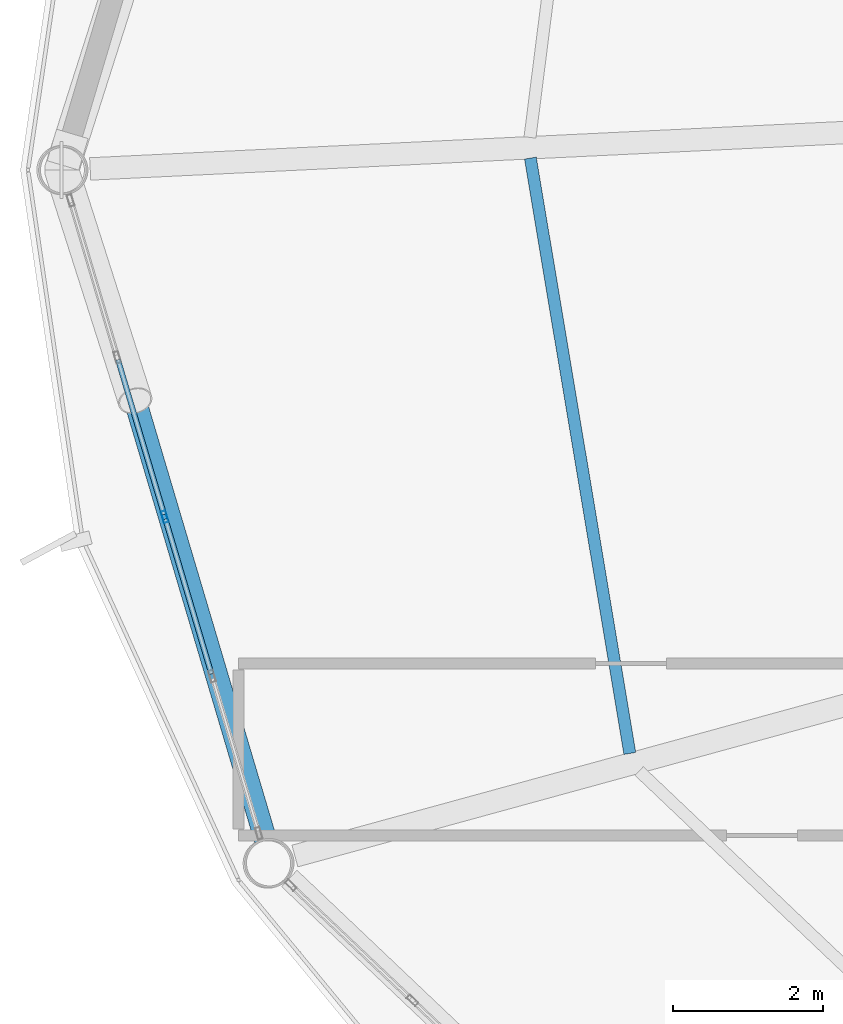
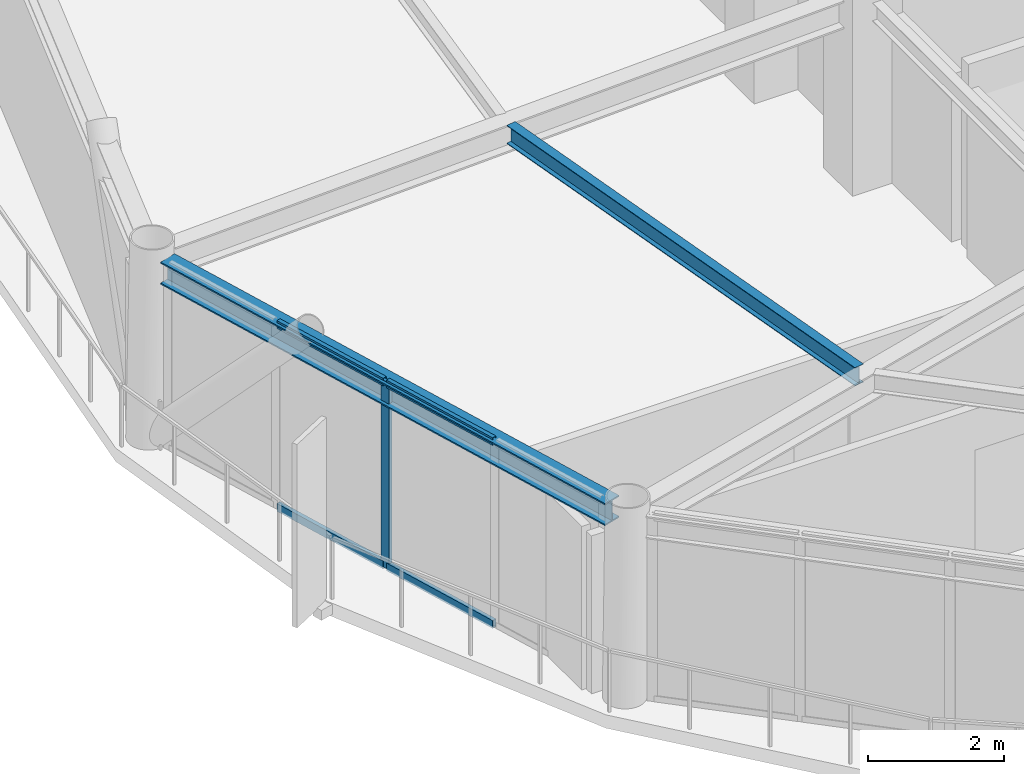
# One storey, part 5 of 29: 5 members, 2 beams, 1 element without a shape of its own.
"""IFC4 building model written with IfcOpenShell, lengths in metres."""

from ifc_helpers import new_model, si_unit, direction, frame, origin, origin_2d, place, context, subcontext, project, spatial, hollow_rectangle, i_section, extrude, material, layer, layer_set, material_profile, profile_set, type_object, element, aggregate, save


model = new_model("IFC4")

# Units and contexts
model_context = context("Model", 3, precision=1e-05, world=origin(), true_north=direction((0.0, 1.0)))
body_context = subcontext(model_context, "Body", "Model", "MODEL_VIEW")
ifc_project = project(units=[si_unit("LENGTHUNIT", "METRE"), si_unit("AREAUNIT", "SQUARE_METRE"), si_unit("VOLUMEUNIT", "CUBIC_METRE"), si_unit("PLANEANGLEUNIT", "RADIAN"), si_unit("MASSUNIT", "GRAM", prefix="KILO")], contexts=[model_context])

# Site, building, storey
site_placement = place(None, origin())
site = spatial("IfcSite", under=ifc_project, at=site_placement, CompositionType="ELEMENT")
building_placement = place(site_placement, origin())
building = spatial("IfcBuilding", under=site, at=building_placement, Name="Varnakorn Sky Granary", CompositionType="ELEMENT")
storey_placement = place(building_placement, frame((0.0, 0.0, 182.39990234375)))
storey = spatial("IfcBuildingStorey", under=building, at=storey_placement, Name="L45", CompositionType="ELEMENT", Elevation=182.39990234375)

# Beams
ifc_material_1 = material(Name="Steel S355JR", Category="steel")
ifc_material_profile_1 = material_profile(ifc_material_1, i_section(OverallWidth=0.159912109375, OverallDepth=0.330078125, WebThickness=0.007568359375, FlangeThickness=0.011474609375, at=origin_2d()), Name="IPE 330")
ifc_profile_set_1 = profile_set([ifc_material_profile_1], Name="Steel S355JR")
beam_type_1 = type_object("IfcBeamType", Name="BM-SEC-Z4", PredefinedType="BEAM", material=ifc_profile_set_1)
beam_1_placement = place(storey_placement, frame((-8.595458984375, 0.159912109375, 3.195068359375), z_axis=(0.164771717875, -0.986331729688, 0.0), x_axis=(0.986331729688, 0.164771717875, 0.0)))
element("IfcBeam", 1, at=beam_1_placement, inside=storey, type_object=beam_type_1, Name="Secondary Floor Chord Beam MSB07 L45", PredefinedType="BEAM", context=body_context, shape_type="SweptSolid", body=[
    extrude(i_section(OverallWidth=0.159912109375, OverallDepth=0.330078125, WebThickness=0.007568359375, FlangeThickness=0.011474609375, at=origin_2d()), origin(), (0.0, 0.0, 1.0), 8.072265625),
])
ifc_material_profile_2 = material_profile(ifc_material_1, i_section(OverallWidth=0.300048828125, OverallDepth=0.39990234375, WebThickness=0.013427734375, FlangeThickness=0.02392578125, at=origin_2d()), Name="HE 400 B")
ifc_profile_set_2 = profile_set([ifc_material_profile_2], Name="Steel S355JR")
beam_type_2 = type_object("IfcBeamType", Name="BM-SPD-Z4", PredefinedType="SPANDREL", material=ifc_profile_set_2)
beam_2_placement = place(storey_placement, frame((-14.707275390625, -0.302001953125, 3.16015625), z_axis=(0.28468412354, -0.958621379797, 0.0), x_axis=(0.958621379797, 0.28468412354, 0.0)))
element("IfcBeam", 2, at=beam_2_placement, inside=storey, type_object=beam_type_2, Name="Perimeter Spandrel Ring Beam RB07 L45", PredefinedType="SPANDREL", context=body_context, shape_type="SweptSolid", body=[
    extrude(i_section(OverallWidth=0.300048828125, OverallDepth=0.39990234375, WebThickness=0.013427734375, FlangeThickness=0.02392578125, at=origin_2d()), origin(), (0.0, 0.0, 1.0), 9.026123046875),
])

# Curtain wall, members
ifc_material_2 = material(Name="Anodised Bronze Aluminium Alloy 6063-T6", Category="aluminium")
ifc_layer = layer(ifc_material_2, 0.169921875, Name="Anodised Bronze Aluminium Alloy 6063-T6")
ifc_layer_set = layer_set([ifc_layer], Name="Anodised Bronze Aluminium Alloy 6063-T6")
curtain_wall_type = type_object("IfcCurtainWallType", Name="CW-LAB-1", PredefinedType="USERDEFINED", material=ifc_layer_set)
curtain_wall_placement = place(storey_placement, origin())
curtain_wall = element("IfcCurtainWall", 3, at=curtain_wall_placement, inside=storey, type_object=curtain_wall_type, Name="Unitised Curtain Wall CW5 CW-L45-B07", ObjectType="CURTAIN WALL", PredefinedType="USERDEFINED")
ifc_material_profile_3 = material_profile(ifc_material_2, hollow_rectangle(XDim=0.06494140625, YDim=0.159912109375, WallThickness=0.00341796875, at=origin_2d()), Name="ALU MULL 65x160")
ifc_profile_set_3 = profile_set([ifc_material_profile_3], Name="Anodised Bronze Aluminium Alloy 6063-T6")
member_type_1 = type_object("IfcMemberType", Name="CW-LAB-1-MULL", PredefinedType="MULLION", material=ifc_profile_set_3)
member_1_placement = place(storey_placement, frame((-13.48583984375, -4.63671875, 0.0), z_axis=(0.0, 0.0, 1.0), x_axis=(-0.958503400255, -0.285081096707, 0.0)))
member_1 = element("IfcMember", 4, at=member_1_placement, type_object=member_type_1, Name="CW5 mullion 3", PredefinedType="MULLION", context=body_context, shape_type="SweptSolid", body=[
    extrude(hollow_rectangle(XDim=0.06494140625, YDim=0.159912109375, WallThickness=0.00341796875, at=origin_2d()), origin(), (0.0, 0.0, 1.0), 3.360107421875),
])
ifc_material_profile_4 = material_profile(ifc_material_2, hollow_rectangle(XDim=0.070068359375, YDim=0.139892578125, WallThickness=0.00341796875, at=origin_2d()), Name="ALU TRAN 70x140")
ifc_profile_set_4 = profile_set([ifc_material_profile_4], Name="Anodised Bronze Aluminium Alloy 6063-T6")
member_type_2 = type_object("IfcMemberType", Name="CW-LAB-1-TRAN", PredefinedType="USERDEFINED", material=ifc_profile_set_4)
member_2_placement = place(storey_placement, frame((-12.861328125, -6.737060546875, 0.03515625), z_axis=(-0.285012395719, 0.958523830839, 0.0), x_axis=(-0.958523830839, -0.285012395719, 0.0)))
member_2 = element("IfcMember", 5, at=member_2_placement, type_object=member_type_2, Name="CW5 transom 2.1", ObjectType="TRANSOM", PredefinedType="USERDEFINED", context=body_context, shape_type="SweptSolid", body=[
    extrude(hollow_rectangle(XDim=0.070068359375, YDim=0.139892578125, WallThickness=0.00341796875, at=origin_2d()), origin(), (0.0, 0.0, 1.0), 2.15869140625),
])
member_3_placement = place(storey_placement, frame((-12.861328125, -6.737060546875, 3.3251953125), z_axis=(-0.285012395719, 0.958523830839, 0.0), x_axis=(-0.958523830839, -0.285012395719, 0.0)))
member_3 = element("IfcMember", 6, at=member_3_placement, type_object=member_type_2, Name="CW5 transom 2.2", ObjectType="TRANSOM", PredefinedType="USERDEFINED", context=body_context, shape_type="SweptSolid", body=[
    extrude(hollow_rectangle(XDim=0.070068359375, YDim=0.139892578125, WallThickness=0.00341796875, at=origin_2d()), origin(), (0.0, 0.0, 1.0), 2.15869140625),
])
member_4_placement = place(storey_placement, frame((-13.4951171875, -4.605712890625, 0.03515625), z_axis=(-0.285085399457, 0.958502120507, 0.0), x_axis=(-0.958502120507, -0.285085399457, 0.0)))
member_4 = element("IfcMember", 7, at=member_4_placement, type_object=member_type_2, Name="CW5 transom 3.1", ObjectType="TRANSOM", PredefinedType="USERDEFINED", context=body_context, shape_type="SweptSolid", body=[
    extrude(hollow_rectangle(XDim=0.070068359375, YDim=0.139892578125, WallThickness=0.00341796875, at=origin_2d()), origin(), (0.0, 0.0, 1.0), 2.158935546875),
])
member_5_placement = place(storey_placement, frame((-13.4951171875, -4.605712890625, 3.3251953125), z_axis=(-0.285085399457, 0.958502120507, 0.0), x_axis=(-0.958502120507, -0.285085399457, 0.0)))
member_5 = element("IfcMember", 8, at=member_5_placement, type_object=member_type_2, Name="CW5 transom 3.2", ObjectType="TRANSOM", PredefinedType="USERDEFINED", context=body_context, shape_type="SweptSolid", body=[
    extrude(hollow_rectangle(XDim=0.070068359375, YDim=0.139892578125, WallThickness=0.00341796875, at=origin_2d()), origin(), (0.0, 0.0, 1.0), 2.158935546875),
])
aggregate(curtain_wall, [member_1, member_2, member_3, member_4, member_5])

save(model, "model.ifc")
